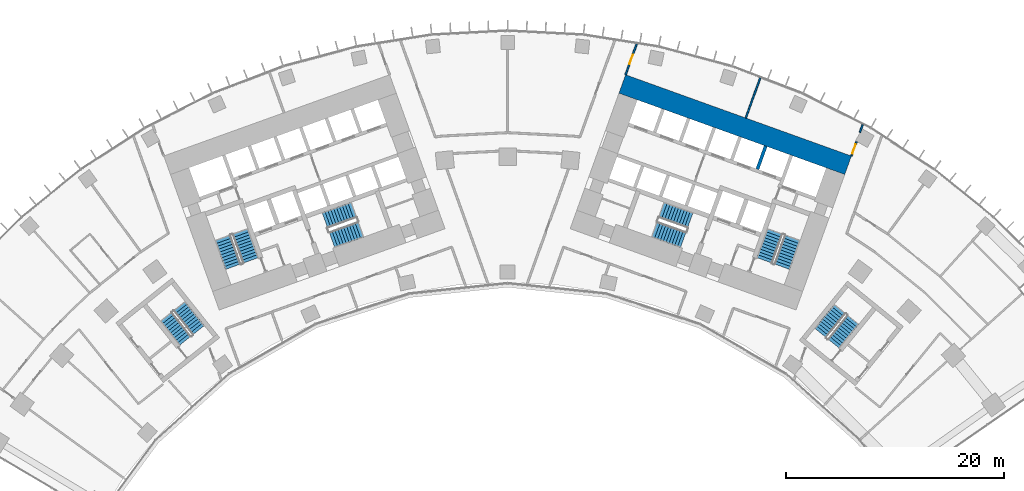
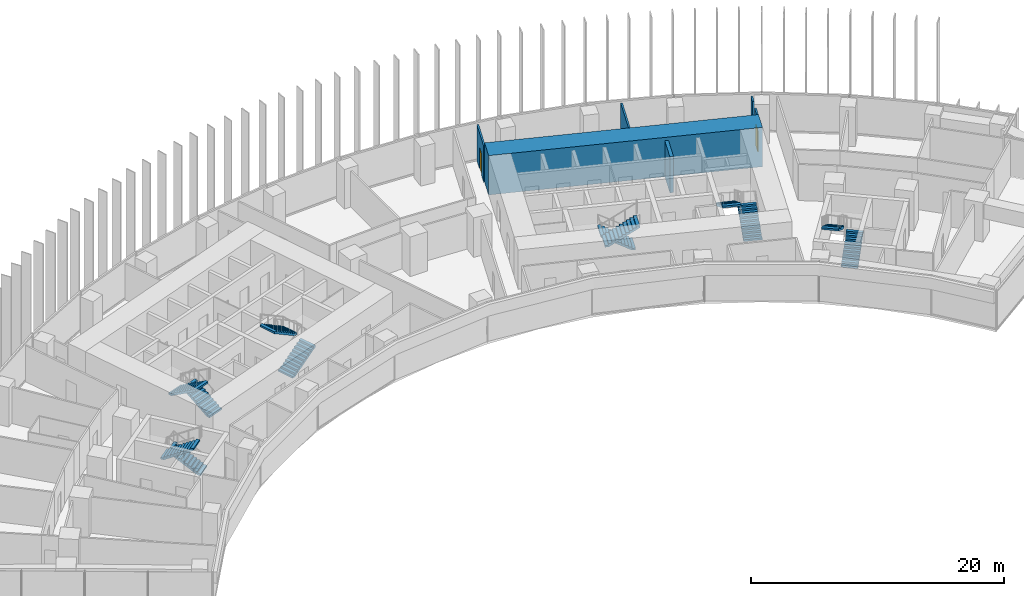
# One storey, part 22 of 24: 12 stair flights, 6 walls, 2 doors, 2 openings, 6 elements without a shape of their own.
"""IFC4 building model written with IfcOpenShell, lengths in metres."""

from ifc_helpers import new_model, si_unit, direction, frame, frame_2d, origin, place, context, subcontext, project, spatial, polyline, rectangle, outline, extrude, material, layer, layer_set, type_object, element, fill, aggregate, save


model = new_model("IFC4")

# Units and contexts
model_context = context("Model", 3, precision=1e-05, world=origin(), true_north=direction((0.0, 1.0)))
body_context = subcontext(model_context, "Body", "Model", "MODEL_VIEW")
ifc_project = project(units=[si_unit("LENGTHUNIT", "METRE"), si_unit("AREAUNIT", "SQUARE_METRE"), si_unit("VOLUMEUNIT", "CUBIC_METRE"), si_unit("PLANEANGLEUNIT", "RADIAN"), si_unit("MASSUNIT", "GRAM", prefix="KILO")], contexts=[model_context])

# Site, building, storey
site_placement = place(None, origin())
site = spatial("IfcSite", under=ifc_project, at=site_placement, CompositionType="ELEMENT")
building_placement = place(site_placement, origin())
building = spatial("IfcBuilding", under=site, at=building_placement, Name="Stone Belt Terrace Tower", CompositionType="ELEMENT")
storey_placement = place(building_placement, frame((0.0, 0.0, 64.199951171875)))
storey = spatial("IfcBuildingStorey", under=building, at=storey_placement, Name="L15", CompositionType="ELEMENT", Elevation=64.199951171875)

# Walls
ifc_material_1 = material(Name="Concrete B80", Category="concrete")
ifc_layer_1 = layer(ifc_material_1, 1.800048828125)
ifc_layer_set_1 = layer_set([ifc_layer_1], Name="Core wall 1800 B80")
wall_type_1 = type_object("IfcWallType", Name="Core wall 1800 B80", PredefinedType="SHEAR", material=ifc_layer_set_1)
wall_1_placement = place(storey_placement, frame((10.509033203125, 61.685546875, 0.0), z_axis=(0.0, 0.0, 1.0), x_axis=(0.940922914687, -0.338620833112, 0.0)))
element("IfcWall", 1, at=wall_1_placement, inside=storey, type_object=wall_type_1, Name="Core B wall convex L15", PredefinedType="SHEAR", context=body_context, shape_type="SweptSolid", body=[
    extrude(rectangle(XDim=22.000244140625, YDim=1.800048828125, at=frame_2d((11.0, 0.0))), origin(), (0.0, 0.0, 1.0), 3.800048828125),
])
ifc_layer_2 = layer(ifc_material_1, 0.300048828125)
ifc_layer_set_2 = layer_set([ifc_layer_2], Name="Lift shaft wall 300")
wall_type_2 = type_object("IfcWallType", Name="Lift shaft wall 300", PredefinedType="SHEAR", material=ifc_layer_set_2)
wall_2_placement = place(storey_placement, frame((22.897705078125, 53.87939453125, 0.0), z_axis=(0.0, 0.0, 1.0), x_axis=(0.338535034312, 0.940953787677, 0.0)))
element("IfcWall", 2, at=wall_2_placement, inside=storey, type_object=wall_type_2, Name="Core B wall", PredefinedType="SHEAR", context=body_context, shape_type="SweptSolid", body=[
    extrude(rectangle(XDim=2.25, YDim=0.300048828125, at=frame_2d((1.125, 0.0))), origin(), (0.0, 0.0, 1.0), 3.47998046875),
])

# Wall, opening, door
ifc_material_2 = material(Name="Gypsum board partition")
ifc_layer_3 = layer(ifc_material_2, 0.14990234375)
ifc_layer_set_3 = layer_set([ifc_layer_3], Name="PARTITION 150 EI 60")
wall_type_3 = type_object("IfcWallType", Name="PARTITION 150 EI 60", PredefinedType="PARTITIONING", material=ifc_layer_set_3)
wall_3_placement = place(storey_placement, frame((11.831787109375, 65.361083984375, 0.0), z_axis=(0.0, 0.0, 1.0), x_axis=(-0.338526810165, -0.940956746508, 0.0)))
wall_3 = element("IfcWall", 3, at=wall_3_placement, inside=storey, type_object=wall_type_3, Name="L15/wall/i020", PredefinedType="PARTITIONING", context=body_context, shape_type="SweptSolid", body=[
    extrude(rectangle(XDim=3.006591796875, YDim=0.14990234375, at=frame_2d((1.50341796875, 0.0))), origin(), (0.0, 0.0, 1.0), 3.47998046875),
])
opening_1_placement = place(wall_3_placement, frame((1.05322265625, 0.0, 0.0)))
opening_1 = element("IfcOpeningElement", 4, at=opening_1_placement, cuts=wall_3, Name="Opening D-A4-10", PredefinedType="OPENING", context=body_context, shape_type="SweptSolid", body=[
    extrude(rectangle(XDim=0.89990234375, YDim=2.10009765625, at=frame_2d((0.449951171875, 1.050048828125))), frame((0.0, 0.0849609375, 0.0), z_axis=(0.0, -1.0, 0.0), x_axis=(1.0, 0.0, 0.0)), (0.0, 0.0, 1.0), 0.169921875),
])
ifc_material_3 = material(Name="Timber door leaf", Category="wood")
door_type = type_object("IfcDoorType", Name="OFFICE DOOR 900 X 2100", OperationType="NOTDEFINED", PredefinedType="DOOR", material=ifc_material_3)
door_1_placement = place(opening_1_placement, origin())
door_1 = element("IfcDoor", 5, at=door_1_placement, inside=storey, type_object=door_type, Name="L15/door/i10", OperationType="SINGLE_SWING_RIGHT", OverallHeight=2.10009765625, OverallWidth=0.89990234375, PredefinedType="DOOR", context=body_context, shape_type="SweptSolid", body=[
    extrude(rectangle(XDim=0.89990234375, YDim=2.10009765625, at=frame_2d((0.449951171875, 1.050048828125))), frame((0.0, 0.02490234375, 0.0), z_axis=(0.0, -1.0, 0.0), x_axis=(1.0, 0.0, 0.0)), (0.0, 0.0, 1.0), 0.050048828125),
])
fill(opening_1, door_1)

wall_4_placement = place(storey_placement, frame((31.513916015625, 55.0830078125, 0.0), z_axis=(0.0, 0.0, 1.0), x_axis=(0.338861945182, 0.940836107995, 0.0)))
wall_4 = element("IfcWall", 6, at=wall_4_placement, inside=storey, type_object=wall_type_3, Name="L15/wall/i024", PredefinedType="PARTITIONING", context=body_context, shape_type="SweptSolid", body=[
    extrude(rectangle(XDim=1.3955078125, YDim=0.14990234375, at=frame_2d((0.69775390625, 0.0))), origin(), (0.0, 0.0, 1.0), 3.47998046875),
])
opening_2_placement = place(wall_4_placement, frame((0.247802734375, 0.0, 0.0)))
opening_2 = element("IfcOpeningElement", 7, at=opening_2_placement, cuts=wall_4, Name="Opening D-A4-11", PredefinedType="OPENING", context=body_context, shape_type="SweptSolid", body=[
    extrude(rectangle(XDim=0.89990234375, YDim=2.10009765625, at=frame_2d((0.449951171875, 1.050048828125))), frame((0.0, 0.0849609375, 0.0), z_axis=(0.0, -1.0, 0.0), x_axis=(1.0, 0.0, 0.0)), (0.0, 0.0, 1.0), 0.169921875),
])
door_2_placement = place(opening_2_placement, origin())
door_2 = element("IfcDoor", 8, at=door_2_placement, inside=storey, type_object=door_type, Name="L15/door/i11", OperationType="SINGLE_SWING_RIGHT", OverallHeight=2.10009765625, OverallWidth=0.89990234375, PredefinedType="DOOR", context=body_context, shape_type="SweptSolid", body=[
    extrude(rectangle(XDim=0.89990234375, YDim=2.10009765625, at=frame_2d((0.449951171875, 1.050048828125))), frame((0.0, 0.02490234375, 0.0), z_axis=(0.0, -1.0, 0.0), x_axis=(1.0, 0.0, 0.0)), (0.0, 0.0, 1.0), 0.050048828125),
])
fill(opening_2, door_2)

# Walls
wall_5_placement = place(storey_placement, frame((32.290283203125, 57.238525390625, 0.0), z_axis=(0.0, 0.0, 1.0), x_axis=(0.338960201827, 0.940800712998, 0.0)))
element("IfcWall", 9, at=wall_5_placement, inside=storey, type_object=wall_type_3, Name="L15/wall/i025", PredefinedType="PARTITIONING", context=body_context, shape_type="SweptSolid", body=[
    extrude(rectangle(XDim=0.754150390625, YDim=0.14990234375, at=frame_2d((0.376953125, 0.0))), origin(), (0.0, 0.0, 1.0), 3.47998046875),
])
wall_6_placement = place(storey_placement, frame((23.15673828125, 62.244140625, 0.0), z_axis=(0.0, 0.0, 1.0), x_axis=(-0.338480536661, -0.940973392983, 0.0)))
element("IfcWall", 10, at=wall_6_placement, inside=storey, type_object=wall_type_3, Name="L15/wall/i036", PredefinedType="PARTITIONING", context=body_context, shape_type="SweptSolid", body=[
    extrude(rectangle(XDim=3.907958984375, YDim=0.14990234375, at=frame_2d((1.9541015625, 0.0))), origin(), (0.0, 0.0, 1.0), 3.47998046875),
])

# Stair, stair flights
ifc_material_4 = material(Name="Concrete B40", Category="concrete")
stair_type = type_object("IfcStairType", Name="Exit stair 1500", PredefinedType="HALF_TURN_STAIR", material=ifc_material_4)
stair_1_placement = place(storey_placement, origin())
stair_1 = element("IfcStair", 11, at=stair_1_placement, inside=storey, type_object=stair_type, Name="L15 Exit stair 1 core A", PredefinedType="HALF_TURN_STAIR")
stair_flight_type = type_object("IfcStairFlightType", Name="Stair flight 1500", PredefinedType="STRAIGHT", material=ifc_material_4)
stair_flight_1_placement = place(storey_placement, frame((-23.55322265625, 45.51318359375, 0.0), z_axis=(0.0, 0.0, 1.0), x_axis=(-0.338624396177, 0.940921632398, 0.0)))
stair_flight_1 = element("IfcStairFlight", 12, at=stair_flight_1_placement, type_object=stair_flight_type, Name="ST1A flight 1", NumberOfRisers=11, NumberOfTreads=10, PredefinedType="STRAIGHT", RiserHeight=0.172727273, TreadLength=0.28, context=body_context, shape_type="SweptSolid", body=[
    extrude(outline(polyline([(0.0, 0.0), (0.0, 0.172607421875), (0.280029296875, 0.172607421875), (0.280029296875, 0.345458984375), (0.56005859375, 0.345458984375), (0.56005859375, 0.51806640625), (0.840087890625, 0.51806640625), (0.840087890625, 0.69091796875), (1.1201171875, 0.69091796875), (1.1201171875, 0.863525390625), (1.39990234375, 0.863525390625), (1.39990234375, 1.036376953125), (1.679931640625, 1.036376953125), (1.679931640625, 1.208984375), (1.9599609375, 1.208984375), (1.9599609375, 1.3818359375), (2.239990234375, 1.3818359375), (2.239990234375, 1.554443359375), (2.52001953125, 1.554443359375), (2.52001953125, 1.727294921875), (2.800048828125, 1.727294921875), (2.800048828125, 1.89990234375), (2.800048828125, 1.551025390625), (0.285400390625, 0.0), (0.0, 0.0)])), frame((0.0, 0.75, 0.0), z_axis=(0.0, -1.0, 0.0), x_axis=(1.0, 0.0, 0.0)), (0.0, 0.0, 1.0), 1.5),
])
stair_flight_2_placement = place(storey_placement, frame((-26.10107421875, 47.572021484375, 1.900146484375), z_axis=(0.0, 0.0, 1.0), x_axis=(0.338624396177, -0.940921632398, 0.0)))
stair_flight_2 = element("IfcStairFlight", 13, at=stair_flight_2_placement, type_object=stair_flight_type, Name="ST1A flight 2", NumberOfRisers=11, NumberOfTreads=10, PredefinedType="STRAIGHT", RiserHeight=0.172727273, TreadLength=0.28, context=body_context, shape_type="SweptSolid", body=[
    extrude(outline(polyline([(0.0, 0.0), (0.0, 0.172607421875), (0.280029296875, 0.172607421875), (0.280029296875, 0.345458984375), (0.56005859375, 0.345458984375), (0.56005859375, 0.51806640625), (0.840087890625, 0.51806640625), (0.840087890625, 0.69091796875), (1.1201171875, 0.69091796875), (1.1201171875, 0.863525390625), (1.39990234375, 0.863525390625), (1.39990234375, 1.036376953125), (1.679931640625, 1.036376953125), (1.679931640625, 1.208984375), (1.9599609375, 1.208984375), (1.9599609375, 1.3818359375), (2.239990234375, 1.3818359375), (2.239990234375, 1.554443359375), (2.52001953125, 1.554443359375), (2.52001953125, 1.727294921875), (2.800048828125, 1.727294921875), (2.800048828125, 1.89990234375), (2.800048828125, 1.551025390625), (0.285400390625, 0.0), (0.0, 0.0)])), frame((0.0, 0.75, 0.0), z_axis=(0.0, -1.0, 0.0), x_axis=(1.0, 0.0, 0.0)), (0.0, 0.0, 1.0), 1.5),
])
aggregate(stair_1, [stair_flight_1, stair_flight_2])

stair_2_placement = place(storey_placement, origin())
stair_2 = element("IfcStair", 14, at=stair_2_placement, inside=storey, type_object=stair_type, Name="L15 Exit stair 2 core A", PredefinedType="HALF_TURN_STAIR")
stair_flight_3_placement = place(storey_placement, frame((-16.101318359375, 47.39794921875, 0.0), z_axis=(0.0, 0.0, 1.0), x_axis=(0.940921632398, 0.338624396177, 0.0)))
stair_flight_3 = element("IfcStairFlight", 15, at=stair_flight_3_placement, type_object=stair_flight_type, Name="ST2A flight 1", NumberOfRisers=11, NumberOfTreads=10, PredefinedType="STRAIGHT", RiserHeight=0.172727273, TreadLength=0.28, context=body_context, shape_type="SweptSolid", body=[
    extrude(outline(polyline([(0.0, 0.0), (0.0, 0.172607421875), (0.280029296875, 0.172607421875), (0.280029296875, 0.345458984375), (0.56005859375, 0.345458984375), (0.56005859375, 0.51806640625), (0.840087890625, 0.51806640625), (0.840087890625, 0.69091796875), (1.1201171875, 0.69091796875), (1.1201171875, 0.863525390625), (1.39990234375, 0.863525390625), (1.39990234375, 1.036376953125), (1.679931640625, 1.036376953125), (1.679931640625, 1.208984375), (1.9599609375, 1.208984375), (1.9599609375, 1.3818359375), (2.239990234375, 1.3818359375), (2.239990234375, 1.554443359375), (2.52001953125, 1.554443359375), (2.52001953125, 1.727294921875), (2.800048828125, 1.727294921875), (2.800048828125, 1.89990234375), (2.800048828125, 1.551025390625), (0.285400390625, 0.0), (0.0, 0.0)])), frame((0.0, 0.75, 0.0), z_axis=(0.0, -1.0, 0.0), x_axis=(1.0, 0.0, 0.0)), (0.0, 0.0, 1.0), 1.5),
])
stair_flight_4_placement = place(storey_placement, frame((-14.110107421875, 50.1337890625, 1.900146484375), z_axis=(0.0, 0.0, 1.0), x_axis=(-0.940921632398, -0.338624396177, 0.0)))
stair_flight_4 = element("IfcStairFlight", 16, at=stair_flight_4_placement, type_object=stair_flight_type, Name="ST2A flight 2", NumberOfRisers=11, NumberOfTreads=10, PredefinedType="STRAIGHT", RiserHeight=0.172727273, TreadLength=0.28, context=body_context, shape_type="SweptSolid", body=[
    extrude(outline(polyline([(0.0, 0.0), (0.0, 0.172607421875), (0.280029296875, 0.172607421875), (0.280029296875, 0.345458984375), (0.56005859375, 0.345458984375), (0.56005859375, 0.51806640625), (0.840087890625, 0.51806640625), (0.840087890625, 0.69091796875), (1.1201171875, 0.69091796875), (1.1201171875, 0.863525390625), (1.39990234375, 0.863525390625), (1.39990234375, 1.036376953125), (1.679931640625, 1.036376953125), (1.679931640625, 1.208984375), (1.9599609375, 1.208984375), (1.9599609375, 1.3818359375), (2.239990234375, 1.3818359375), (2.239990234375, 1.554443359375), (2.52001953125, 1.554443359375), (2.52001953125, 1.727294921875), (2.800048828125, 1.727294921875), (2.800048828125, 1.89990234375), (2.800048828125, 1.551025390625), (0.285400390625, 0.0), (0.0, 0.0)])), frame((0.0, 0.75, 0.0), z_axis=(0.0, -1.0, 0.0), x_axis=(1.0, 0.0, 0.0)), (0.0, 0.0, 1.0), 1.5),
])
aggregate(stair_2, [stair_flight_3, stair_flight_4])

stair_3_placement = place(storey_placement, origin())
stair_3 = element("IfcStair", 17, at=stair_3_placement, inside=storey, type_object=stair_type, Name="L15 Exit stair 1 core B", PredefinedType="HALF_TURN_STAIR")
stair_flight_5_placement = place(storey_placement, frame((25.15283203125, 44.9375, 0.0), z_axis=(0.0, 0.0, 1.0), x_axis=(0.338624396177, 0.940921632398, 0.0)))
stair_flight_5 = element("IfcStairFlight", 18, at=stair_flight_5_placement, type_object=stair_flight_type, Name="ST1B flight 1", NumberOfRisers=11, NumberOfTreads=10, PredefinedType="STRAIGHT", RiserHeight=0.172727273, TreadLength=0.28, context=body_context, shape_type="SweptSolid", body=[
    extrude(outline(polyline([(0.0, 0.0), (0.0, 0.172607421875), (0.280029296875, 0.172607421875), (0.280029296875, 0.345458984375), (0.56005859375, 0.345458984375), (0.56005859375, 0.51806640625), (0.840087890625, 0.51806640625), (0.840087890625, 0.69091796875), (1.1201171875, 0.69091796875), (1.1201171875, 0.863525390625), (1.39990234375, 0.863525390625), (1.39990234375, 1.036376953125), (1.679931640625, 1.036376953125), (1.679931640625, 1.208984375), (1.9599609375, 1.208984375), (1.9599609375, 1.3818359375), (2.239990234375, 1.3818359375), (2.239990234375, 1.554443359375), (2.52001953125, 1.554443359375), (2.52001953125, 1.727294921875), (2.800048828125, 1.727294921875), (2.800048828125, 1.89990234375), (2.800048828125, 1.551025390625), (0.285400390625, 0.0), (0.0, 0.0)])), frame((0.0, 0.75, 0.0), z_axis=(0.0, -1.0, 0.0), x_axis=(1.0, 0.0, 0.0)), (0.0, 0.0, 1.0), 1.5),
])
stair_flight_6_placement = place(storey_placement, frame((24.50146484375, 48.147705078125, 1.900146484375), z_axis=(0.0, 0.0, 1.0), x_axis=(-0.338624396177, -0.940921632398, 0.0)))
stair_flight_6 = element("IfcStairFlight", 19, at=stair_flight_6_placement, type_object=stair_flight_type, Name="ST1B flight 2", NumberOfRisers=11, NumberOfTreads=10, PredefinedType="STRAIGHT", RiserHeight=0.172727273, TreadLength=0.28, context=body_context, shape_type="SweptSolid", body=[
    extrude(outline(polyline([(0.0, 0.0), (0.0, 0.172607421875), (0.280029296875, 0.172607421875), (0.280029296875, 0.345458984375), (0.56005859375, 0.345458984375), (0.56005859375, 0.51806640625), (0.840087890625, 0.51806640625), (0.840087890625, 0.69091796875), (1.1201171875, 0.69091796875), (1.1201171875, 0.863525390625), (1.39990234375, 0.863525390625), (1.39990234375, 1.036376953125), (1.679931640625, 1.036376953125), (1.679931640625, 1.208984375), (1.9599609375, 1.208984375), (1.9599609375, 1.3818359375), (2.239990234375, 1.3818359375), (2.239990234375, 1.554443359375), (2.52001953125, 1.554443359375), (2.52001953125, 1.727294921875), (2.800048828125, 1.727294921875), (2.800048828125, 1.89990234375), (2.800048828125, 1.551025390625), (0.285400390625, 0.0), (0.0, 0.0)])), frame((0.0, 0.75, 0.0), z_axis=(0.0, -1.0, 0.0), x_axis=(1.0, 0.0, 0.0)), (0.0, 0.0, 1.0), 1.5),
])
aggregate(stair_3, [stair_flight_5, stair_flight_6])

stair_4_placement = place(storey_placement, origin())
stair_4 = element("IfcStair", 20, at=stair_4_placement, inside=storey, type_object=stair_type, Name="L15 Exit stair 2 core B", PredefinedType="HALF_TURN_STAIR")
stair_flight_7_placement = place(storey_placement, frame((16.74462890625, 49.185546875, 0.0), z_axis=(0.0, 0.0, 1.0), x_axis=(-0.940921632398, 0.338624396177, 0.0)))
stair_flight_7 = element("IfcStairFlight", 21, at=stair_flight_7_placement, type_object=stair_flight_type, Name="ST2B flight 1", NumberOfRisers=11, NumberOfTreads=10, PredefinedType="STRAIGHT", RiserHeight=0.172727273, TreadLength=0.28, context=body_context, shape_type="SweptSolid", body=[
    extrude(outline(polyline([(0.0, 0.0), (0.0, 0.172607421875), (0.280029296875, 0.172607421875), (0.280029296875, 0.345458984375), (0.56005859375, 0.345458984375), (0.56005859375, 0.51806640625), (0.840087890625, 0.51806640625), (0.840087890625, 0.69091796875), (1.1201171875, 0.69091796875), (1.1201171875, 0.863525390625), (1.39990234375, 0.863525390625), (1.39990234375, 1.036376953125), (1.679931640625, 1.036376953125), (1.679931640625, 1.208984375), (1.9599609375, 1.208984375), (1.9599609375, 1.3818359375), (2.239990234375, 1.3818359375), (2.239990234375, 1.554443359375), (2.52001953125, 1.554443359375), (2.52001953125, 1.727294921875), (2.800048828125, 1.727294921875), (2.800048828125, 1.89990234375), (2.800048828125, 1.551025390625), (0.285400390625, 0.0), (0.0, 0.0)])), frame((0.0, 0.75, 0.0), z_axis=(0.0, -1.0, 0.0), x_axis=(1.0, 0.0, 0.0)), (0.0, 0.0, 1.0), 1.5),
])
stair_flight_8_placement = place(storey_placement, frame((13.466796875, 48.345947265625, 1.900146484375), z_axis=(0.0, 0.0, 1.0), x_axis=(0.940921632398, -0.338624396177, 0.0)))
stair_flight_8 = element("IfcStairFlight", 22, at=stair_flight_8_placement, type_object=stair_flight_type, Name="ST2B flight 2", NumberOfRisers=11, NumberOfTreads=10, PredefinedType="STRAIGHT", RiserHeight=0.172727273, TreadLength=0.28, context=body_context, shape_type="SweptSolid", body=[
    extrude(outline(polyline([(0.0, 0.0), (0.0, 0.172607421875), (0.280029296875, 0.172607421875), (0.280029296875, 0.345458984375), (0.56005859375, 0.345458984375), (0.56005859375, 0.51806640625), (0.840087890625, 0.51806640625), (0.840087890625, 0.69091796875), (1.1201171875, 0.69091796875), (1.1201171875, 0.863525390625), (1.39990234375, 0.863525390625), (1.39990234375, 1.036376953125), (1.679931640625, 1.036376953125), (1.679931640625, 1.208984375), (1.9599609375, 1.208984375), (1.9599609375, 1.3818359375), (2.239990234375, 1.3818359375), (2.239990234375, 1.554443359375), (2.52001953125, 1.554443359375), (2.52001953125, 1.727294921875), (2.800048828125, 1.727294921875), (2.800048828125, 1.89990234375), (2.800048828125, 1.551025390625), (0.285400390625, 0.0), (0.0, 0.0)])), frame((0.0, 0.75, 0.0), z_axis=(0.0, -1.0, 0.0), x_axis=(1.0, 0.0, 0.0)), (0.0, 0.0, 1.0), 1.5),
])
aggregate(stair_4, [stair_flight_7, stair_flight_8])

stair_5_placement = place(storey_placement, origin())
stair_5 = element("IfcStair", 23, at=stair_5_placement, inside=storey, type_object=stair_type, Name="L15 Exit stair 3A", PredefinedType="HALF_TURN_STAIR")
stair_flight_9_placement = place(storey_placement, frame((-28.325439453125, 39.1240234375, 0.0), z_axis=(0.0, 0.0, 1.0), x_axis=(-0.623121363691, 0.782125160132, 0.0)))
stair_flight_9 = element("IfcStairFlight", 24, at=stair_flight_9_placement, type_object=stair_flight_type, Name="ST3A flight 1", NumberOfRisers=11, NumberOfTreads=10, PredefinedType="STRAIGHT", RiserHeight=0.172727273, TreadLength=0.28, context=body_context, shape_type="SweptSolid", body=[
    extrude(outline(polyline([(0.0, 0.0), (0.0, 0.172607421875), (0.280029296875, 0.172607421875), (0.280029296875, 0.345458984375), (0.56005859375, 0.345458984375), (0.56005859375, 0.51806640625), (0.840087890625, 0.51806640625), (0.840087890625, 0.69091796875), (1.1201171875, 0.69091796875), (1.1201171875, 0.863525390625), (1.39990234375, 0.863525390625), (1.39990234375, 1.036376953125), (1.679931640625, 1.036376953125), (1.679931640625, 1.208984375), (1.9599609375, 1.208984375), (1.9599609375, 1.3818359375), (2.239990234375, 1.3818359375), (2.239990234375, 1.554443359375), (2.52001953125, 1.554443359375), (2.52001953125, 1.727294921875), (2.800048828125, 1.727294921875), (2.800048828125, 1.89990234375), (2.800048828125, 1.551025390625), (0.285400390625, 0.0), (0.0, 0.0)])), frame((0.0, 0.675048828125, 0.0), z_axis=(0.0, -1.0, 0.0), x_axis=(1.0, 0.0, 0.0)), (0.0, 0.0, 1.0), 1.35009765625),
])
stair_flight_10_placement = place(storey_placement, frame((-31.282470703125, 40.34814453125, 1.900146484375), z_axis=(0.0, 0.0, 1.0), x_axis=(0.623121363691, -0.782125160132, 0.0)))
stair_flight_10 = element("IfcStairFlight", 25, at=stair_flight_10_placement, type_object=stair_flight_type, Name="ST3A flight 2", NumberOfRisers=11, NumberOfTreads=10, PredefinedType="STRAIGHT", RiserHeight=0.172727273, TreadLength=0.28, context=body_context, shape_type="SweptSolid", body=[
    extrude(outline(polyline([(0.0, 0.0), (0.0, 0.172607421875), (0.280029296875, 0.172607421875), (0.280029296875, 0.345458984375), (0.56005859375, 0.345458984375), (0.56005859375, 0.51806640625), (0.840087890625, 0.51806640625), (0.840087890625, 0.69091796875), (1.1201171875, 0.69091796875), (1.1201171875, 0.863525390625), (1.39990234375, 0.863525390625), (1.39990234375, 1.036376953125), (1.679931640625, 1.036376953125), (1.679931640625, 1.208984375), (1.9599609375, 1.208984375), (1.9599609375, 1.3818359375), (2.239990234375, 1.3818359375), (2.239990234375, 1.554443359375), (2.52001953125, 1.554443359375), (2.52001953125, 1.727294921875), (2.800048828125, 1.727294921875), (2.800048828125, 1.89990234375), (2.800048828125, 1.551025390625), (0.285400390625, 0.0), (0.0, 0.0)])), frame((0.0, 0.675048828125, 0.0), z_axis=(0.0, -1.0, 0.0), x_axis=(1.0, 0.0, 0.0)), (0.0, 0.0, 1.0), 1.35009765625),
])
aggregate(stair_5, [stair_flight_9, stair_flight_10])

stair_6_placement = place(storey_placement, origin())
stair_6 = element("IfcStair", 26, at=stair_6_placement, inside=storey, type_object=stair_type, Name="L15 Exit stair 3B", PredefinedType="HALF_TURN_STAIR")
stair_flight_11_placement = place(storey_placement, frame((29.88330078125, 37.887939453125, 0.0), z_axis=(0.0, 0.0, 1.0), x_axis=(0.630205749599, 0.776428176441, 0.0)))
stair_flight_11 = element("IfcStairFlight", 27, at=stair_flight_11_placement, type_object=stair_flight_type, Name="ST3B flight 1", NumberOfRisers=11, NumberOfTreads=10, PredefinedType="STRAIGHT", RiserHeight=0.172727273, TreadLength=0.28, context=body_context, shape_type="SweptSolid", body=[
    extrude(outline(polyline([(0.0, 0.0), (0.0, 0.172607421875), (0.280029296875, 0.172607421875), (0.280029296875, 0.345458984375), (0.56005859375, 0.345458984375), (0.56005859375, 0.51806640625), (0.840087890625, 0.51806640625), (0.840087890625, 0.69091796875), (1.1201171875, 0.69091796875), (1.1201171875, 0.863525390625), (1.39990234375, 0.863525390625), (1.39990234375, 1.036376953125), (1.679931640625, 1.036376953125), (1.679931640625, 1.208984375), (1.9599609375, 1.208984375), (1.9599609375, 1.3818359375), (2.239990234375, 1.3818359375), (2.239990234375, 1.554443359375), (2.52001953125, 1.554443359375), (2.52001953125, 1.727294921875), (2.800048828125, 1.727294921875), (2.800048828125, 1.89990234375), (2.800048828125, 1.551025390625), (0.285400390625, 0.0), (0.0, 0.0)])), frame((0.0, 0.675048828125, 0.0), z_axis=(0.0, -1.0, 0.0), x_axis=(1.0, 0.0, 0.0)), (0.0, 0.0, 1.0), 1.35009765625),
])
stair_flight_12_placement = place(storey_placement, frame((30.4443359375, 41.038818359375, 1.900146484375), z_axis=(0.0, 0.0, 1.0), x_axis=(-0.630205749599, -0.776428176441, 0.0)))
stair_flight_12 = element("IfcStairFlight", 28, at=stair_flight_12_placement, type_object=stair_flight_type, Name="ST3B flight 2", NumberOfRisers=11, NumberOfTreads=10, PredefinedType="STRAIGHT", RiserHeight=0.172727273, TreadLength=0.28, context=body_context, shape_type="SweptSolid", body=[
    extrude(outline(polyline([(0.0, 0.0), (0.0, 0.172607421875), (0.280029296875, 0.172607421875), (0.280029296875, 0.345458984375), (0.56005859375, 0.345458984375), (0.56005859375, 0.51806640625), (0.840087890625, 0.51806640625), (0.840087890625, 0.69091796875), (1.1201171875, 0.69091796875), (1.1201171875, 0.863525390625), (1.39990234375, 0.863525390625), (1.39990234375, 1.036376953125), (1.679931640625, 1.036376953125), (1.679931640625, 1.208984375), (1.9599609375, 1.208984375), (1.9599609375, 1.3818359375), (2.239990234375, 1.3818359375), (2.239990234375, 1.554443359375), (2.52001953125, 1.554443359375), (2.52001953125, 1.727294921875), (2.800048828125, 1.727294921875), (2.800048828125, 1.89990234375), (2.800048828125, 1.551025390625), (0.285400390625, 0.0), (0.0, 0.0)])), frame((0.0, 0.675048828125, 0.0), z_axis=(0.0, -1.0, 0.0), x_axis=(1.0, 0.0, 0.0)), (0.0, 0.0, 1.0), 1.35009765625),
])
aggregate(stair_6, [stair_flight_11, stair_flight_12])

save(model, "model.ifc")
